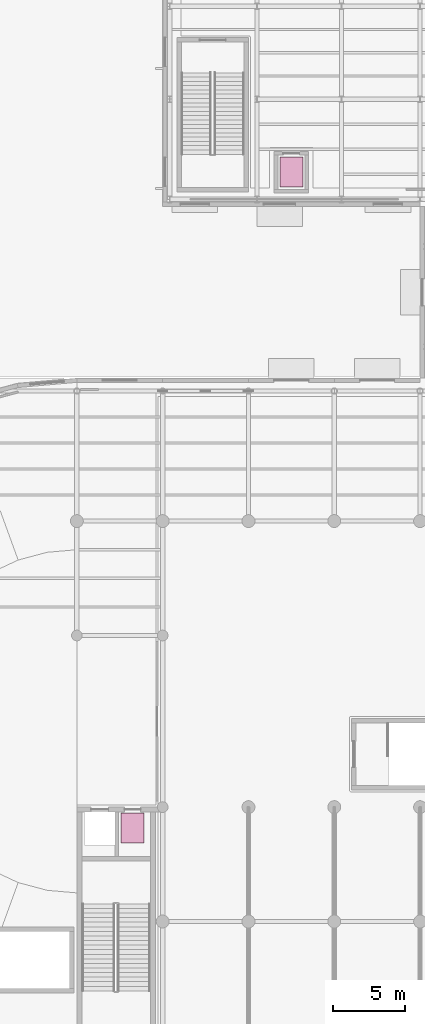
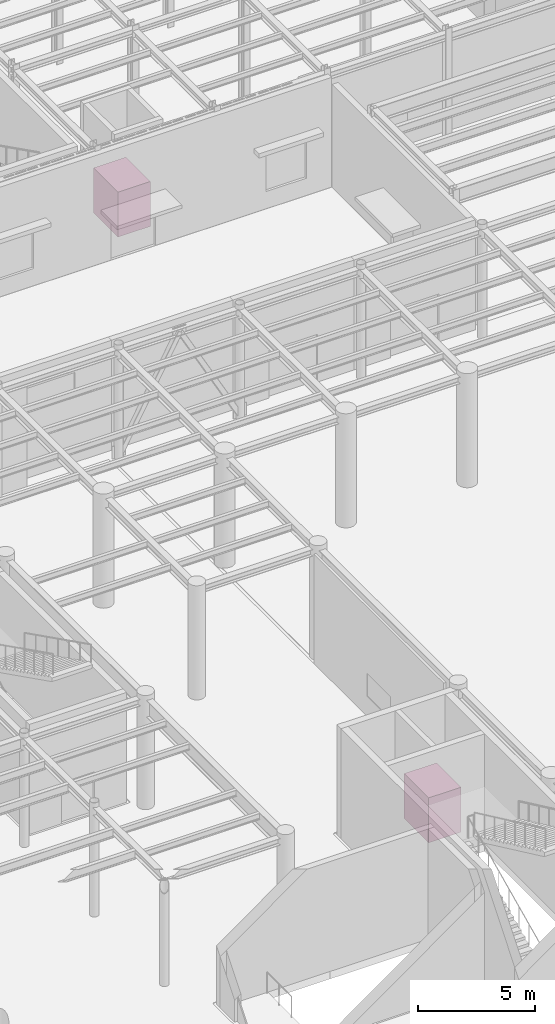
# One storey, part 118 of 118: 2 transport elements.
"""IFC4 building model written with IfcOpenShell, lengths in metres."""

from ifc_helpers import new_model, si_unit, direction, frame, origin, origin_2d, place, context, subcontext, project, spatial, rectangle, extrude, material, type_object, element, save


model = new_model("IFC4")

# Units and contexts
model_context = context("Model", 3, precision=1e-05, world=origin(), true_north=direction((0.0, 1.0)))
body_context = subcontext(model_context, "Body", "Model", "MODEL_VIEW")
ifc_project = project(units=[si_unit("LENGTHUNIT", "METRE"), si_unit("AREAUNIT", "SQUARE_METRE"), si_unit("VOLUMEUNIT", "CUBIC_METRE"), si_unit("PLANEANGLEUNIT", "RADIAN"), si_unit("MASSUNIT", "GRAM", prefix="KILO")], contexts=[model_context])

# Site, building, storey
site_placement = place(None, origin())
site = spatial("IfcSite", under=ifc_project, at=site_placement, CompositionType="ELEMENT")
building_placement = place(site_placement, origin())
building = spatial("IfcBuilding", under=site, at=building_placement, Name="Kolvaren Corner Interchange", CompositionType="ELEMENT")
storey_placement = place(building_placement, origin())
storey = spatial("IfcBuildingStorey", under=building, at=storey_placement, Name="L01", CompositionType="ELEMENT", Elevation=0.0)

# Transport elements
ifc_material = material(Name="Stainless Steel Passenger and Cycle Lift Car", Category="steel")
transport_element_type = type_object("IfcTransportElementType", Name="LFT-PAX-1275", PredefinedType="ELEVATOR", material=ifc_material)
for number, where, z_axis, x_axis, name in (
    (1, (63.89990234375, 40.550048828125, 0.0), (0.0, 0.0, 1.0), (1.0, 0.0, 0.0), "Passenger and Firefighting Lift LF-P3 Car"),
    (2, (75.0, 86.39990234375, 0.0), (0.0, 0.0, 1.0), (1.0, 0.0, 0.0), "Passenger and Firefighting Lift LF-P4 Car"),
):
    element("IfcTransportElement", number, at=place(storey_placement, frame(where, z_axis=z_axis, x_axis=x_axis)), inside=storey, type_object=transport_element_type, Name=name, PredefinedType="ELEVATOR", context=body_context, shape_type="SweptSolid", body=[
        extrude(rectangle(XDim=1.60009765625, YDim=2.10009765625, at=origin_2d()), origin(), (0.0, 0.0, 1.0), 2.35009765625),
    ])

save(model, "model.ifc")
